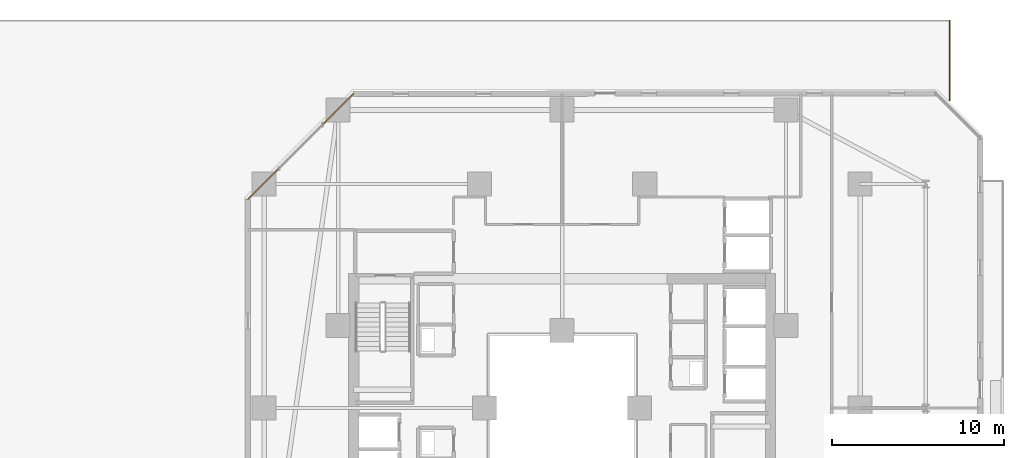
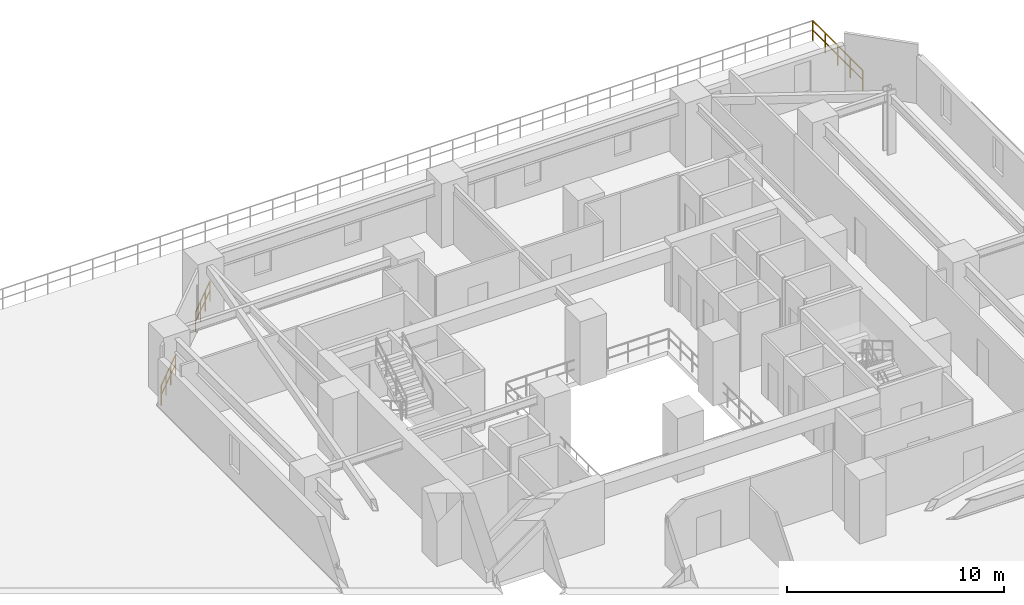
# One storey, part 34 of 34: 3 railings.
"""IFC4 building model written with IfcOpenShell, lengths in metres."""

from ifc_helpers import new_model, si_unit, direction, frame, origin, origin_2d, place, context, subcontext, project, spatial, rectangle, extrude, material, type_object, element, save


model = new_model("IFC4")

# Units and contexts
model_context = context("Model", 3, precision=1e-05, world=origin(), true_north=direction((0.0, 1.0)))
body_context = subcontext(model_context, "Body", "Model", "MODEL_VIEW")
ifc_project = project(units=[si_unit("LENGTHUNIT", "METRE"), si_unit("AREAUNIT", "SQUARE_METRE"), si_unit("VOLUMEUNIT", "CUBIC_METRE"), si_unit("PLANEANGLEUNIT", "RADIAN"), si_unit("MASSUNIT", "GRAM", prefix="KILO")], contexts=[model_context])

# Site, building, storey
site_placement = place(None, origin())
site = spatial("IfcSite", under=ifc_project, at=site_placement, CompositionType="ELEMENT")
building_placement = place(site_placement, origin())
building = spatial("IfcBuilding", under=site, at=building_placement, Name="Thornwick Lancets Civic Towers", CompositionType="ELEMENT")
storey_placement = place(building_placement, frame((0.0, 0.0, 27.89990234375)))
storey = spatial("IfcBuildingStorey", under=building, at=storey_placement, Name="L06", CompositionType="ELEMENT", Elevation=27.89990234375)

# Railings
ifc_material = material(Name="Terracotta-capped laminated glass balustrade S355", Category="masonry")
railing_type = type_object("IfcRailingType", Name="RAIL_TERR_GUARD", PredefinedType="GUARDRAIL", material=ifc_material)
for number, where, name in (
    (1, (76.404296875, 45.25341796875, 0.0), "L06 Tower B Chamfer Spandrel Guard E5-1"),
    (2, (72.059326171875, 40.908447265625, 0.0), "L06 Tower B Chamfer Spandrel Guard E5-2"),
):
    element("IfcRailing", number, at=place(storey_placement, frame(where)), inside=storey, type_object=railing_type, Name=name, PredefinedType="GUARDRAIL", context=body_context, shape_type="SweptSolid", body=[
        extrude(rectangle(XDim=0.048095703125, YDim=0.048095703125, at=origin_2d()), frame((0.0, 0.0, 1.1259765625), z_axis=(-0.707106781187, -0.707106781187, 0.0), x_axis=(0.707106781187, -0.707106781187, 0.0)), (0.0, 0.0, 1.0), 2.563720703125),
        extrude(rectangle(XDim=0.0419921875, YDim=0.0419921875, at=origin_2d()), frame((-0.026611328125, -0.026611328125, 0.597900390625), z_axis=(-0.707106781187, -0.707106781187, 0.0), x_axis=(0.707106781187, -0.707106781187, 0.0)), (0.0, 0.0, 1.0), 0.779541015625),
        extrude(rectangle(XDim=0.0419921875, YDim=0.0419921875, at=origin_2d()), frame((-0.630859375, -0.630859375, 0.597900390625), z_axis=(-0.707106781187, -0.707106781187, 0.0), x_axis=(0.707106781187, -0.707106781187, 0.0)), (0.0, 0.0, 1.0), 0.779541015625),
        extrude(rectangle(XDim=0.0419921875, YDim=0.0419921875, at=origin_2d()), frame((-1.235107421875, -1.235107421875, 0.597900390625), z_axis=(-0.707106781187, -0.707106781187, 0.0), x_axis=(0.707106781187, -0.707106781187, 0.0)), (0.0, 0.0, 1.0), 0.779541015625),
        extrude(rectangle(XDim=0.0419921875, YDim=0.0419921875, at=origin_2d()), origin(), (0.0, 0.0, 1.0), 1.095703125),
        extrude(rectangle(XDim=0.0419921875, YDim=0.0419921875, at=origin_2d()), frame((-0.604248046875, -0.604248046875, 0.0)), (0.0, 0.0, 1.0), 1.095703125),
        extrude(rectangle(XDim=0.0419921875, YDim=0.0419921875, at=origin_2d()), frame((-1.20849609375, -1.20849609375, 0.0)), (0.0, 0.0, 1.0), 1.095703125),
        extrude(rectangle(XDim=0.0419921875, YDim=0.0419921875, at=origin_2d()), frame((-1.812744140625, -1.812744140625, 0.0)), (0.0, 0.0, 1.0), 1.095703125),
    ])
railing_placement = place(storey_placement, frame((111.0, 49.5, 0.0)))
element("IfcRailing", 3, at=railing_placement, inside=storey, type_object=railing_type, Name="L06 Podium Roof Terrace Guard 1 Part 1", PredefinedType="GUARDRAIL", context=body_context, shape_type="SweptSolid", body=[
    extrude(rectangle(XDim=0.048095703125, YDim=0.048095703125, at=origin_2d()), frame((0.0, 0.0, 1.1259765625), z_axis=(0.0, -1.0, 0.0), x_axis=(1.0, 0.0, 0.0)), (0.0, 0.0, 1.0), 4.63037109375),
    extrude(rectangle(XDim=0.0419921875, YDim=0.0419921875, at=origin_2d()), frame((0.0, -0.03759765625, 0.597900390625), z_axis=(0.0, -1.0, 0.0), x_axis=(1.0, 0.0, 0.0)), (0.0, 0.0, 1.0), 1.08251953125),
    extrude(rectangle(XDim=0.0419921875, YDim=0.0419921875, at=origin_2d()), frame((0.0, -1.195068359375, 0.597900390625), z_axis=(0.0, -1.0, 0.0), x_axis=(1.0, 0.0, 0.0)), (0.0, 0.0, 1.0), 1.08251953125),
    extrude(rectangle(XDim=0.0419921875, YDim=0.0419921875, at=origin_2d()), frame((0.0, -2.352783203125, 0.597900390625), z_axis=(0.0, -1.0, 0.0), x_axis=(1.0, 0.0, 0.0)), (0.0, 0.0, 1.0), 1.08251953125),
    extrude(rectangle(XDim=0.0419921875, YDim=0.0419921875, at=origin_2d()), frame((0.0, -3.51025390625, 0.597900390625), z_axis=(0.0, -1.0, 0.0), x_axis=(1.0, 0.0, 0.0)), (0.0, 0.0, 1.0), 1.08251953125),
    extrude(rectangle(XDim=0.0419921875, YDim=0.0419921875, at=origin_2d()), origin(), (0.0, 0.0, 1.0), 1.095703125),
    extrude(rectangle(XDim=0.0419921875, YDim=0.0419921875, at=origin_2d()), frame((0.0, -1.15771484375, 0.0)), (0.0, 0.0, 1.0), 1.095703125),
    extrude(rectangle(XDim=0.0419921875, YDim=0.0419921875, at=origin_2d()), frame((0.0, -2.315185546875, 0.0)), (0.0, 0.0, 1.0), 1.095703125),
    extrude(rectangle(XDim=0.0419921875, YDim=0.0419921875, at=origin_2d()), frame((0.0, -3.47265625, 0.0)), (0.0, 0.0, 1.0), 1.095703125),
    extrude(rectangle(XDim=0.0419921875, YDim=0.0419921875, at=origin_2d()), frame((0.0, -4.63037109375, 0.0)), (0.0, 0.0, 1.0), 1.095703125),
])

save(model, "model.ifc")
